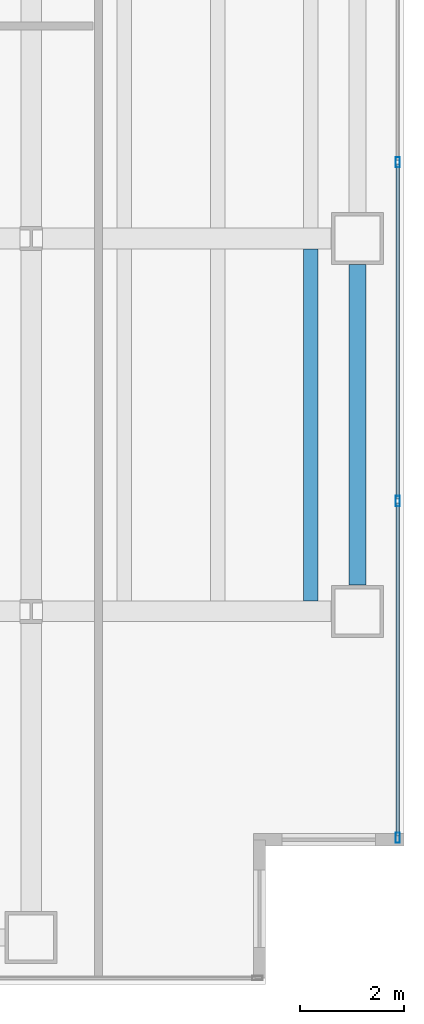
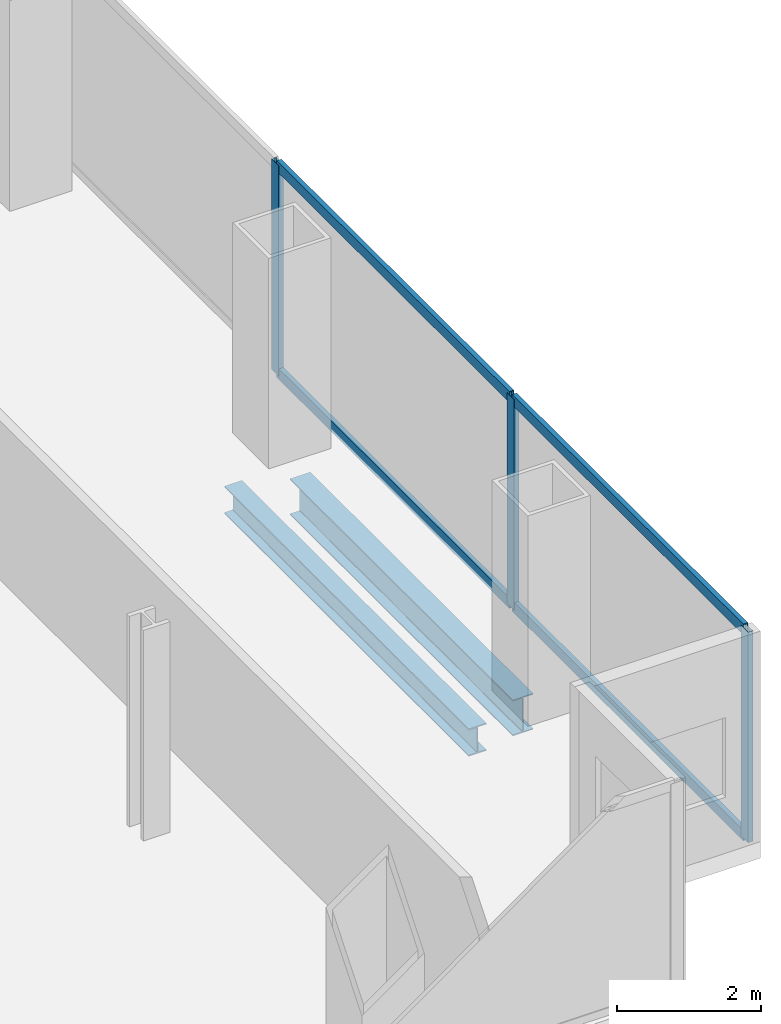
# One storey, part 10 of 23: 7 members, 2 beams, 1 element without a shape of its own.
"""IFC4 building model written with IfcOpenShell, lengths in metres."""

from ifc_helpers import new_model, si_unit, direction, frame, origin, origin_2d, place, context, subcontext, project, spatial, hollow_rectangle, i_section, extrude, material, material_profile, profile_set, type_object, element, aggregate, save


model = new_model("IFC4")

# Units and contexts
model_context = context("Model", 3, precision=1e-05, world=origin(), true_north=direction((0.0, 1.0)))
body_context = subcontext(model_context, "Body", "Model", "MODEL_VIEW")
ifc_project = project(units=[si_unit("LENGTHUNIT", "METRE"), si_unit("AREAUNIT", "SQUARE_METRE"), si_unit("VOLUMEUNIT", "CUBIC_METRE"), si_unit("PLANEANGLEUNIT", "RADIAN"), si_unit("MASSUNIT", "GRAM", prefix="KILO")], contexts=[model_context])

# Site, building, storey
site_placement = place(None, origin())
site = spatial("IfcSite", under=ifc_project, at=site_placement, CompositionType="ELEMENT")
building_placement = place(site_placement, origin())
building = spatial("IfcBuilding", under=site, at=building_placement, Name="Cobrela Telecom Tower", CompositionType="ELEMENT")
storey_placement = place(building_placement, frame((0.0, 0.0, 50.39990234375)))
storey = spatial("IfcBuildingStorey", under=building, at=storey_placement, Name="L12", CompositionType="ELEMENT", Elevation=50.39990234375)

# Beams
ifc_material_1 = material(Name="Steel ASTM A992 Grade 50", Category="steel")
ifc_material_profile_1 = material_profile(ifc_material_1, i_section(OverallWidth=0.281982421875, OverallDepth=0.467041015625, WebThickness=0.01220703125, FlangeThickness=0.01953125, FilletRadius=0.012939453125, at=origin_2d()), Name="W18X86")
ifc_profile_set_1 = profile_set([ifc_material_profile_1], Name="Steel ASTM A992 Grade 50")
beam_type_1 = type_object("IfcBeamType", Name="BM-JOIST-02", PredefinedType="JOIST", material=ifc_profile_set_1)
beam_1_placement = place(storey_placement, frame((48.60009765625, 7.404541015625, -0.513427734375), z_axis=(0.0, 1.0, 0.0), x_axis=(-1.0, 0.0, 0.0)))
element("IfcBeam", 1, at=beam_1_placement, inside=storey, type_object=beam_type_1, Name="L12 Secondary Composite Floor Beam J63", PredefinedType="JOIST", context=body_context, shape_type="SweptSolid", body=[
    extrude(i_section(OverallWidth=0.281982421875, OverallDepth=0.467041015625, WebThickness=0.01220703125, FlangeThickness=0.01953125, FilletRadius=0.012939453125, at=origin_2d()), origin(), (0.0, 0.0, 1.0), 6.791015625),
])
ifc_material_profile_2 = material_profile(ifc_material_1, i_section(OverallWidth=0.324951171875, OverallDepth=0.612060546875, WebThickness=0.0126953125, FlangeThickness=0.01904296875, FilletRadius=0.014892578125, at=origin_2d()), Name="W24X104")
ifc_profile_set_2 = profile_set([ifc_material_profile_2], Name="Steel ASTM A992 Grade 50")
beam_type_2 = type_object("IfcBeamType", Name="BM-SPAND-02", PredefinedType="SPANDREL", material=ifc_profile_set_2)
beam_2_placement = place(storey_placement, frame((49.5, 7.705078125, -0.5859375), z_axis=(0.0, 1.0, 0.0), x_axis=(-1.0, 0.0, 0.0)))
element("IfcBeam", 2, at=beam_2_placement, inside=storey, type_object=beam_type_2, Name="L12 Perimeter Spandrel Y56", PredefinedType="SPANDREL", context=body_context, shape_type="SweptSolid", body=[
    extrude(i_section(OverallWidth=0.324951171875, OverallDepth=0.612060546875, WebThickness=0.0126953125, FlangeThickness=0.01904296875, FilletRadius=0.014892578125, at=origin_2d()), origin(), (0.0, 0.0, 1.0), 6.18994140625),
])

# Curtain wall, members
ifc_material_2 = material(Name="Anodized Bronze Aluminium 6063-T6", Category="aluminium")
curtain_wall_type = type_object("IfcCurtainWallType", Name="CW-SYS-DATA", PredefinedType="USERDEFINED", material=ifc_material_2)
curtain_wall_placement = place(storey_placement, origin())
curtain_wall = element("IfcCurtainWall", 3, at=curtain_wall_placement, inside=storey, type_object=curtain_wall_type, Name="L12 Unitised Bronze Curtain Wall 14", ObjectType="UNITISED CURTAIN WALL", PredefinedType="USERDEFINED")
ifc_material_profile_3 = material_profile(ifc_material_2, hollow_rectangle(XDim=0.080078125, YDim=0.199951171875, WallThickness=0.00390625, at=origin_2d()), Name="ALU 80x200x4")
ifc_profile_set_3 = profile_set([ifc_material_profile_3], Name="Anodized Bronze Aluminium 6063-T6")
member_type_1 = type_object("IfcMemberType", Name="CW-SYS-DATA-MUL", PredefinedType="MULLION", material=ifc_profile_set_3)
member_1_placement = place(storey_placement, frame((50.280029296875, 15.8701171875, 0.0), z_axis=(0.0, 0.0, 1.0), x_axis=(1.0, 0.0, 0.0)))
member_1 = element("IfcMember", 4, at=member_1_placement, type_object=member_type_1, Name="CW-DATA mullion 2", PredefinedType="MULLION", context=body_context, shape_type="SweptSolid", body=[
    extrude(hollow_rectangle(XDim=0.080078125, YDim=0.199951171875, WallThickness=0.00390625, at=origin_2d()), origin(), (0.0, 0.0, 1.0), 3.570068359375),
])
member_2_placement = place(storey_placement, frame((50.280029296875, 9.330078125, 0.0), z_axis=(0.0, 0.0, 1.0), x_axis=(1.0, 0.0, 0.0)))
member_2 = element("IfcMember", 5, at=member_2_placement, type_object=member_type_1, Name="CW-DATA mullion 3", PredefinedType="MULLION", context=body_context, shape_type="SweptSolid", body=[
    extrude(hollow_rectangle(XDim=0.080078125, YDim=0.199951171875, WallThickness=0.00390625, at=origin_2d()), origin(), (0.0, 0.0, 1.0), 3.570068359375),
])
member_3_placement = place(storey_placement, frame((50.280029296875, 2.830078125, 0.0), z_axis=(0.0, 0.0, 1.0), x_axis=(1.0, 0.0, 0.0)))
member_3 = element("IfcMember", 6, at=member_3_placement, type_object=member_type_1, Name="CW-DATA mullion 4", PredefinedType="MULLION", context=body_context, shape_type="SweptSolid", body=[
    extrude(hollow_rectangle(XDim=0.080078125, YDim=0.199951171875, WallThickness=0.00390625, at=origin_2d()), origin(), (0.0, 0.0, 1.0), 3.570068359375),
])
ifc_material_profile_4 = material_profile(ifc_material_2, hollow_rectangle(XDim=0.074951171875, YDim=0.179931640625, WallThickness=0.00390625, at=origin_2d()), Name="ALU 75x180x4")
ifc_profile_set_4 = profile_set([ifc_material_profile_4], Name="Anodized Bronze Aluminium 6063-T6")
member_type_2 = type_object("IfcMemberType", Name="CW-SYS-DATA-TRN", PredefinedType="USERDEFINED", material=ifc_profile_set_4)
member_4_placement = place(storey_placement, frame((50.280029296875, 15.830078125, 0.03759765625), z_axis=(0.0, -1.0, 0.0), x_axis=(1.0, 0.0, 0.0)))
member_4 = element("IfcMember", 7, at=member_4_placement, type_object=member_type_2, Name="CW-DATA transom 2.1", ObjectType="TRANSOM", PredefinedType="USERDEFINED", context=body_context, shape_type="SweptSolid", body=[
    extrude(hollow_rectangle(XDim=0.074951171875, YDim=0.179931640625, WallThickness=0.00390625, at=origin_2d()), origin(), (0.0, 0.0, 1.0), 6.4599609375),
])
member_5_placement = place(storey_placement, frame((50.280029296875, 15.830078125, 3.53271484375), z_axis=(0.0, -1.0, 0.0), x_axis=(1.0, 0.0, 0.0)))
member_5 = element("IfcMember", 8, at=member_5_placement, type_object=member_type_2, Name="CW-DATA transom 2.2", ObjectType="TRANSOM", PredefinedType="USERDEFINED", context=body_context, shape_type="SweptSolid", body=[
    extrude(hollow_rectangle(XDim=0.074951171875, YDim=0.179931640625, WallThickness=0.00390625, at=origin_2d()), origin(), (0.0, 0.0, 1.0), 6.4599609375),
])
member_6_placement = place(storey_placement, frame((50.280029296875, 9.2900390625, 0.03759765625), z_axis=(0.0, -1.0, 0.0), x_axis=(1.0, 0.0, 0.0)))
member_6 = element("IfcMember", 9, at=member_6_placement, type_object=member_type_2, Name="CW-DATA transom 3.1", ObjectType="TRANSOM", PredefinedType="USERDEFINED", context=body_context, shape_type="SweptSolid", body=[
    extrude(hollow_rectangle(XDim=0.074951171875, YDim=0.179931640625, WallThickness=0.00390625, at=origin_2d()), origin(), (0.0, 0.0, 1.0), 6.419921875),
])
member_7_placement = place(storey_placement, frame((50.280029296875, 9.2900390625, 3.53271484375), z_axis=(0.0, -1.0, 0.0), x_axis=(1.0, 0.0, 0.0)))
member_7 = element("IfcMember", 10, at=member_7_placement, type_object=member_type_2, Name="CW-DATA transom 3.2", ObjectType="TRANSOM", PredefinedType="USERDEFINED", context=body_context, shape_type="SweptSolid", body=[
    extrude(hollow_rectangle(XDim=0.074951171875, YDim=0.179931640625, WallThickness=0.00390625, at=origin_2d()), origin(), (0.0, 0.0, 1.0), 6.419921875),
])
aggregate(curtain_wall, [member_1, member_2, member_3, member_4, member_5, member_6, member_7])

save(model, "model.ifc")
